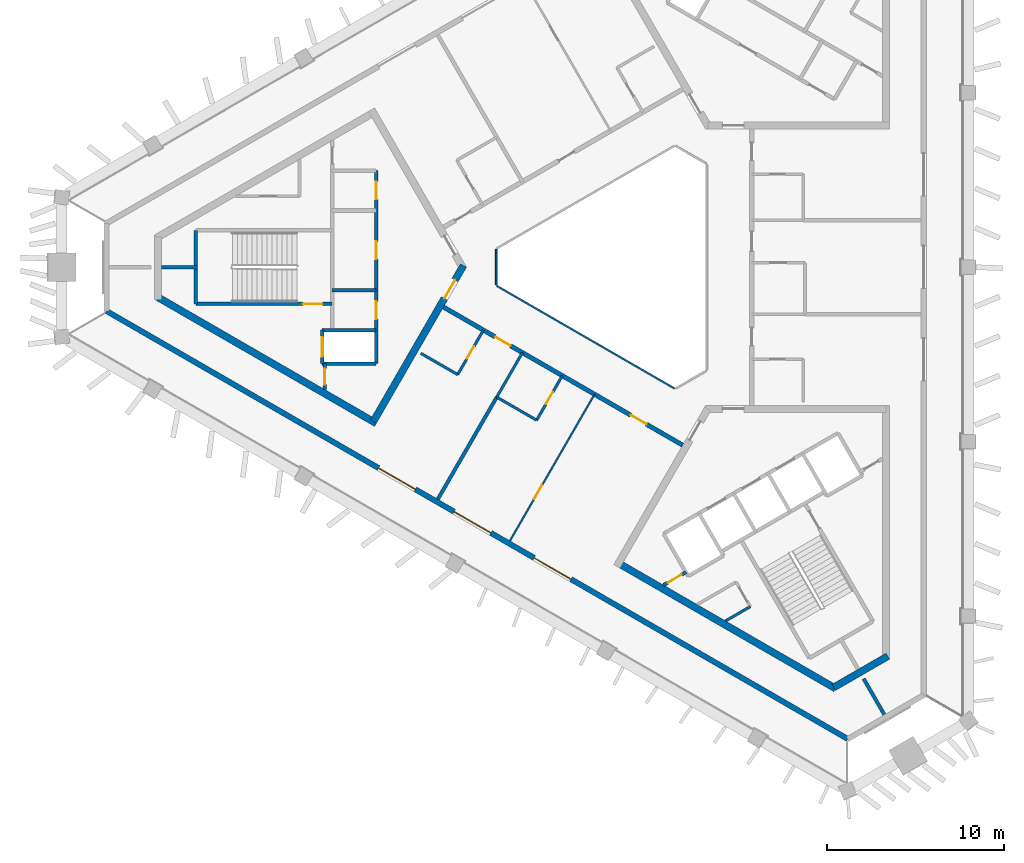
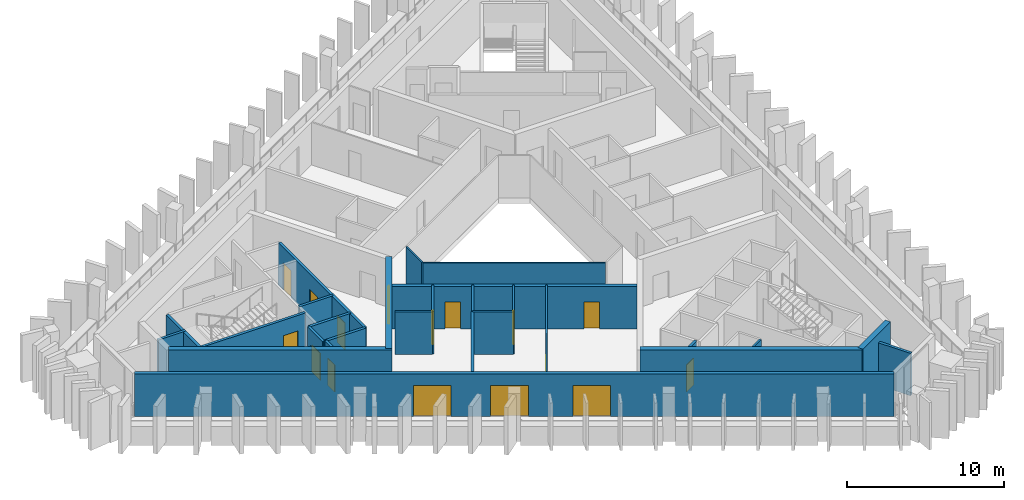
# One storey, part 2 of 9: 27 walls, 16 doors, 16 openings.
"""IFC4 building model written with IfcOpenShell, lengths in metres."""

from ifc_helpers import new_model, si_unit, direction, frame, frame_2d, origin, place, context, subcontext, project, spatial, rectangle, extrude, material, layer, layer_set, type_object, element, fill, save


model = new_model("IFC4")

# Units and contexts
model_context = context("Model", 3, precision=1e-05, world=origin(), true_north=direction((0.0, 1.0)))
body_context = subcontext(model_context, "Body", "Model", "MODEL_VIEW")
ifc_project = project(units=[si_unit("LENGTHUNIT", "METRE"), si_unit("AREAUNIT", "SQUARE_METRE"), si_unit("VOLUMEUNIT", "CUBIC_METRE"), si_unit("PLANEANGLEUNIT", "RADIAN"), si_unit("MASSUNIT", "GRAM", prefix="KILO")], contexts=[model_context])

# Site, building, storey
site_placement = place(None, origin())
site = spatial("IfcSite", under=ifc_project, at=site_placement, CompositionType="ELEMENT")
building_placement = place(site_placement, origin())
building = spatial("IfcBuilding", under=site, at=building_placement, Name="Jabali Bay Hotel Tower and Convention Centre", CompositionType="ELEMENT")
storey_placement = place(building_placement, frame((0.0, 0.0, 262.699951171875)))
storey = spatial("IfcBuildingStorey", under=building, at=storey_placement, Name="L64", CompositionType="ELEMENT", Elevation=262.699951171875)

# Walls
ifc_material_1 = material(Name="Fire-resistant glazing", Category="glass")
ifc_layer_1 = layer(ifc_material_1, 0.10009765625)
ifc_layer_set_1 = layer_set([ifc_layer_1], Name="Fire-resistant glazing")
wall_type_1 = type_object("IfcWallType", Name="Atrium glazed screen 100", PredefinedType="PARTITIONING", material=ifc_layer_set_1)
wall_1_placement = place(storey_placement, frame((67.672119140625, 81.0, 0.0), z_axis=(0.0, 0.0, 1.0), x_axis=(0.0, -1.0, 0.0)))
element("IfcWall", 1, at=wall_1_placement, inside=storey, type_object=wall_type_1, Name="Atrium screen 4 L64", PredefinedType="PARTITIONING", context=body_context, shape_type="SweptSolid", body=[
    extrude(rectangle(XDim=2.0, YDim=0.10009765625, at=frame_2d((1.0, 0.0))), origin(), (0.0, 0.0, 1.0), 3.300048828125),
])
wall_2_placement = place(storey_placement, frame((67.7021484375, 78.947998046875, 0.0), z_axis=(0.0, 0.0, 1.0), x_axis=(0.866026658274, -0.499997827154, 0.0)))
element("IfcWall", 2, at=wall_2_placement, inside=storey, type_object=wall_type_1, Name="Atrium screen 5 L64", PredefinedType="PARTITIONING", context=body_context, shape_type="SweptSolid", body=[
    extrude(rectangle(XDim=11.58837890625, YDim=0.10009765625, at=frame_2d((5.794189453125, 0.0))), origin(), (0.0, 0.0, 1.0), 3.300048828125),
])
ifc_material_2 = material(Name="Concrete C40", Category="concrete")
ifc_layer_2 = layer(ifc_material_2, 0.199951171875)
ifc_layer_set_2 = layer_set([ifc_layer_2], Name="Concrete C40")
wall_type_2 = type_object("IfcWallType", Name="Core partition wall 200", PredefinedType="PARTITIONING", material=ifc_layer_set_2)
wall_3_placement = place(storey_placement, frame((50.820068359375, 80.0, 0.0), z_axis=(0.0, 0.0, 1.0), x_axis=(-1.0, 0.0, 0.0)))
element("IfcWall", 3, at=wall_3_placement, inside=storey, type_object=wall_type_2, Name="Core wall 0.4 L64", PredefinedType="PARTITIONING", context=body_context, shape_type="SweptSolid", body=[
    extrude(rectangle(XDim=2.023193359375, YDim=0.199951171875, at=frame_2d((1.01171875, 0.0))), origin(), (0.0, 0.0, 1.0), 3.300048828125),
])

# Wall, opening, door
wall_4_placement = place(storey_placement, frame((58.0, 74.550048828125, 0.0), z_axis=(0.0, 0.0, 1.0), x_axis=(0.0, -1.0, 0.0)))
wall_4 = element("IfcWall", 4, at=wall_4_placement, inside=storey, type_object=wall_type_2, Name="Core wall 0.11 L64", PredefinedType="PARTITIONING", context=body_context, shape_type="SweptSolid", body=[
    extrude(rectangle(XDim=1.455078125, YDim=0.199951171875, at=frame_2d((0.7275390625, 0.0))), origin(), (0.0, 0.0, 1.0), 3.300048828125),
])
opening_1_placement = place(wall_4_placement, frame((0.277587890625, 0.0, 0.0)))
opening_1 = element("IfcOpeningElement", 5, at=opening_1_placement, cuts=wall_4, Name="Opening D1404", PredefinedType="OPENING", context=body_context, shape_type="SweptSolid", body=[
    extrude(rectangle(XDim=0.89990234375, YDim=2.10009765625, at=frame_2d((0.449951171875, 1.050048828125))), frame((0.0, 0.1103515625, 0.0), z_axis=(0.0, -1.0, 0.0), x_axis=(1.0, 0.0, 0.0)), (0.0, 0.0, 1.0), 0.220947265625),
])
ifc_material_3 = material(Name="Fire-rated steel door", Category="steel")
door_type_1 = type_object("IfcDoorType", Name="Vestibule fire door 900 x 2100", OperationType="NOTDEFINED", PredefinedType="NOTDEFINED", material=ifc_material_3)
door_1_placement = place(opening_1_placement, origin())
door_1 = element("IfcDoor", 6, at=door_1_placement, inside=storey, type_object=door_type_1, Name="Vestibule fire door D1404", OperationType="SINGLE_SWING_LEFT", OverallHeight=2.10009765625, OverallWidth=0.89990234375, PredefinedType="NOTDEFINED", context=body_context, shape_type="SweptSolid", body=[
    extrude(rectangle(XDim=0.89990234375, YDim=2.10009765625, at=frame_2d((0.449951171875, 1.050048828125))), frame((0.0, 0.02490234375, 0.0), z_axis=(0.0, -1.0, 0.0), x_axis=(1.0, 0.0, 0.0)), (0.0, 0.0, 1.0), 0.050048828125),
])
fill(opening_1, door_1)

wall_5_placement = place(storey_placement, frame((77.119873046875, 62.055908203125, 0.0), z_axis=(0.0, 0.0, 1.0), x_axis=(0.866054810376, 0.49994906283, 0.0)))
wall_5 = element("IfcWall", 7, at=wall_5_placement, inside=storey, type_object=wall_type_2, Name="Core wall 2.12 L64", PredefinedType="PARTITIONING", context=body_context, shape_type="SweptSolid", body=[
    extrude(rectangle(XDim=1.461181640625, YDim=0.199951171875, at=frame_2d((0.73046875, 0.0))), origin(), (0.0, 0.0, 1.0), 3.300048828125),
])
opening_2_placement = place(wall_5_placement, frame((0.280517578125, 0.0, 0.0)))
opening_2 = element("IfcOpeningElement", 8, at=opening_2_placement, cuts=wall_5, Name="Opening D1419", PredefinedType="OPENING", context=body_context, shape_type="SweptSolid", body=[
    extrude(rectangle(XDim=0.89990234375, YDim=2.10009765625, at=frame_2d((0.449951171875, 1.050048828125))), frame((0.0, 0.1103515625, 0.0), z_axis=(0.0, -1.0, 0.0), x_axis=(1.0, 0.0, 0.0)), (0.0, 0.0, 1.0), 0.220947265625),
])
door_2_placement = place(opening_2_placement, origin())
door_2 = element("IfcDoor", 9, at=door_2_placement, inside=storey, type_object=door_type_1, Name="Vestibule fire door D1419", OperationType="SINGLE_SWING_LEFT", OverallHeight=2.10009765625, OverallWidth=0.89990234375, PredefinedType="NOTDEFINED", context=body_context, shape_type="SweptSolid", body=[
    extrude(rectangle(XDim=0.89990234375, YDim=2.10009765625, at=frame_2d((0.449951171875, 1.050048828125))), frame((0.0, 0.02490234375, 0.0), z_axis=(0.0, -1.0, 0.0), x_axis=(1.0, 0.0, 0.0)), (0.0, 0.0, 1.0), 0.050048828125),
])
fill(opening_2, door_2)

# Walls
ifc_material_4 = material(Name="Fire-rated board partition")
ifc_layer_3 = layer(ifc_material_4, 0.14990234375)
ifc_layer_set_3 = layer_set([ifc_layer_3], Name="Fire-rated board partition")
wall_type_3 = type_object("IfcWallType", Name="Core room partition 150", PredefinedType="PARTITIONING", material=ifc_layer_set_3)
wall_6_placement = place(storey_placement, frame((80.6201171875, 60.03515625, 0.0), z_axis=(0.0, 0.0, 1.0), x_axis=(0.866001818993, 0.500040847832, 0.0)))
element("IfcWall", 10, at=wall_6_placement, inside=storey, type_object=wall_type_3, Name="Core wall 2.17 L64", PredefinedType="PARTITIONING", context=body_context, shape_type="SweptSolid", body=[
    extrude(rectangle(XDim=1.614990234375, YDim=0.14990234375, at=frame_2d((0.8076171875, 0.0))), origin(), (0.0, 0.0, 1.0), 3.300048828125),
])
ifc_layer_4 = layer(ifc_material_2, 0.199951171875)
ifc_layer_set_4 = layer_set([ifc_layer_4], Name="Concrete C40")
wall_type_4 = type_object("IfcWallType", Name="Core stair wall 200", PredefinedType="SOLIDWALL", material=ifc_layer_set_4)
wall_7_placement = place(storey_placement, frame((60.89990234375, 78.699951171875, 0.0), z_axis=(0.0, 0.0, 1.0), x_axis=(-1.0, 0.0, 0.0)))
element("IfcWall", 11, at=wall_7_placement, inside=storey, type_object=wall_type_4, Name="Core wall 0.5 L64", PredefinedType="SOLIDWALL", context=body_context, shape_type="SweptSolid", body=[
    extrude(rectangle(XDim=2.47998046875, YDim=0.199951171875, at=frame_2d((1.239990234375, 0.0))), origin(), (0.0, 0.0, 1.0), 3.300048828125),
])

# Wall, opening, door
wall_8_placement = place(storey_placement, frame((58.419921875, 77.925048828125, 0.0), z_axis=(0.0, 0.0, 1.0), x_axis=(-1.0, 0.0, 0.0)))
wall_8 = element("IfcWall", 12, at=wall_8_placement, inside=storey, type_object=wall_type_4, Name="Core wall 0.6 L64", PredefinedType="SOLIDWALL", context=body_context, shape_type="SweptSolid", body=[
    extrude(rectangle(XDim=7.699951171875, YDim=0.199951171875, at=frame_2d((3.85009765625, 0.0))), origin(), (0.0, 0.0, 1.0), 3.300048828125),
])
opening_3_placement = place(wall_8_placement, frame((0.550048828125, 0.0, 0.0)))
opening_3 = element("IfcOpeningElement", 13, at=opening_3_placement, cuts=wall_8, Name="Opening D1406", PredefinedType="OPENING", context=body_context, shape_type="SweptSolid", body=[
    extrude(rectangle(XDim=1.10009765625, YDim=2.10009765625, at=frame_2d((0.550048828125, 1.050048828125))), frame((0.0, 0.1103515625, 0.0), z_axis=(0.0, -1.0, 0.0), x_axis=(1.0, 0.0, 0.0)), (0.0, 0.0, 1.0), 0.220947265625),
])
door_type_2 = type_object("IfcDoorType", Name="Stair fire door 1100 x 2100", OperationType="NOTDEFINED", PredefinedType="NOTDEFINED", material=ifc_material_3)
door_3_placement = place(opening_3_placement, origin())
door_3 = element("IfcDoor", 14, at=door_3_placement, inside=storey, type_object=door_type_2, Name="Stair fire door D1406", OperationType="SINGLE_SWING_RIGHT", OverallHeight=2.10009765625, OverallWidth=1.10009765625, PredefinedType="NOTDEFINED", context=body_context, shape_type="SweptSolid", body=[
    extrude(rectangle(XDim=1.10009765625, YDim=2.10009765625, at=frame_2d((0.550048828125, 1.050048828125))), frame((0.0, 0.02490234375, 0.0), z_axis=(0.0, -1.0, 0.0), x_axis=(1.0, 0.0, 0.0)), (0.0, 0.0, 1.0), 0.050048828125),
])
fill(opening_3, door_3)

# Walls
for number, where, z_axis, x_axis, name in (
    (15, (60.89990234375, 76.449951171875, 0.0), (0.0, 0.0, 1.0), (-1.0, 0.0, 0.0), "Core wall 0.7 L64"),
    (16, (60.89990234375, 74.550048828125, 0.0), (0.0, 0.0, 1.0), (-1.0, 0.0, 0.0), "Core wall 0.8 L64"),
):
    element("IfcWall", number, at=place(storey_placement, frame(where, z_axis=z_axis, x_axis=x_axis)), inside=storey, type_object=wall_type_4, Name=name, PredefinedType="SOLIDWALL", context=body_context, shape_type="SweptSolid", body=[
        extrude(rectangle(XDim=3.0498046875, YDim=0.199951171875, at=frame_2d((1.52490234375, 0.0))), origin(), (0.0, 0.0, 1.0), 3.300048828125),
    ])

# Wall, openings, doors
wall_9_placement = place(storey_placement, frame((60.89990234375, 85.449951171875, 0.0), z_axis=(0.0, 0.0, 1.0), x_axis=(0.0, -1.0, 0.0)))
wall_9 = element("IfcWall", 17, at=wall_9_placement, inside=storey, type_object=wall_type_4, Name="Core wall 0.9 L64", PredefinedType="SOLIDWALL", context=body_context, shape_type="SweptSolid", body=[
    extrude(rectangle(XDim=10.89990234375, YDim=0.199951171875, at=frame_2d((5.449951171875, 0.0))), origin(), (0.0, 0.0, 1.0), 3.300048828125),
])
opening_4_placement = place(wall_9_placement, frame((0.625, 0.0, 0.0)))
opening_4 = element("IfcOpeningElement", 18, at=opening_4_placement, cuts=wall_9, Name="Opening D1401", PredefinedType="OPENING", context=body_context, shape_type="SweptSolid", body=[
    extrude(rectangle(XDim=1.0, YDim=2.10009765625, at=frame_2d((0.5, 1.050048828125))), frame((0.0, 0.1103515625, 0.0), z_axis=(0.0, -1.0, 0.0), x_axis=(1.0, 0.0, 0.0)), (0.0, 0.0, 1.0), 0.220947265625),
])
opening_5_placement = place(wall_9_placement, frame((4.0, 0.0, 0.0)))
opening_5 = element("IfcOpeningElement", 19, at=opening_5_placement, cuts=wall_9, Name="Opening D1402", PredefinedType="OPENING", context=body_context, shape_type="SweptSolid", body=[
    extrude(rectangle(XDim=1.0, YDim=2.10009765625, at=frame_2d((0.5, 1.050048828125))), frame((0.0, 0.1103515625, 0.0), z_axis=(0.0, -1.0, 0.0), x_axis=(1.0, 0.0, 0.0)), (0.0, 0.0, 1.0), 0.220947265625),
])
opening_6_placement = place(wall_9_placement, frame((7.375, 0.0, 0.0)))
opening_6 = element("IfcOpeningElement", 20, at=opening_6_placement, cuts=wall_9, Name="Opening D1403", PredefinedType="OPENING", context=body_context, shape_type="SweptSolid", body=[
    extrude(rectangle(XDim=1.0, YDim=2.10009765625, at=frame_2d((0.5, 1.050048828125))), frame((0.0, 0.1103515625, 0.0), z_axis=(0.0, -1.0, 0.0), x_axis=(1.0, 0.0, 0.0)), (0.0, 0.0, 1.0), 0.220947265625),
])
door_type_3 = type_object("IfcDoorType", Name="Core room door 1000 x 2100", OperationType="NOTDEFINED", PredefinedType="NOTDEFINED", material=ifc_material_3)
door_4_placement = place(opening_4_placement, origin())
door_4 = element("IfcDoor", 21, at=door_4_placement, inside=storey, type_object=door_type_3, Name="Core room door D1401", OperationType="SINGLE_SWING_RIGHT", OverallHeight=2.10009765625, OverallWidth=1.0, PredefinedType="NOTDEFINED", context=body_context, shape_type="SweptSolid", body=[
    extrude(rectangle(XDim=1.0, YDim=2.10009765625, at=frame_2d((0.5, 1.050048828125))), frame((0.0, 0.02490234375, 0.0), z_axis=(0.0, -1.0, 0.0), x_axis=(1.0, 0.0, 0.0)), (0.0, 0.0, 1.0), 0.050048828125),
])
fill(opening_4, door_4)
door_5_placement = place(opening_5_placement, origin())
door_5 = element("IfcDoor", 22, at=door_5_placement, inside=storey, type_object=door_type_3, Name="Core room door D1402", OperationType="SINGLE_SWING_RIGHT", OverallHeight=2.10009765625, OverallWidth=1.0, PredefinedType="NOTDEFINED", context=body_context, shape_type="SweptSolid", body=[
    extrude(rectangle(XDim=1.0, YDim=2.10009765625, at=frame_2d((0.5, 1.050048828125))), frame((0.0, 0.02490234375, 0.0), z_axis=(0.0, -1.0, 0.0), x_axis=(1.0, 0.0, 0.0)), (0.0, 0.0, 1.0), 0.050048828125),
])
fill(opening_5, door_5)
door_6_placement = place(opening_6_placement, origin())
door_6 = element("IfcDoor", 23, at=door_6_placement, inside=storey, type_object=door_type_3, Name="Core room door D1403", OperationType="SINGLE_SWING_RIGHT", OverallHeight=2.10009765625, OverallWidth=1.0, PredefinedType="NOTDEFINED", context=body_context, shape_type="SweptSolid", body=[
    extrude(rectangle(XDim=1.0, YDim=2.10009765625, at=frame_2d((0.5, 1.050048828125))), frame((0.0, 0.02490234375, 0.0), z_axis=(0.0, -1.0, 0.0), x_axis=(1.0, 0.0, 0.0)), (0.0, 0.0, 1.0), 0.050048828125),
])
fill(opening_6, door_6)

# Wall, opening, door
wall_10_placement = place(storey_placement, frame((57.85009765625, 76.449951171875, 0.0), z_axis=(0.0, 0.0, 1.0), x_axis=(0.0, -1.0, 0.0)))
wall_10 = element("IfcWall", 24, at=wall_10_placement, inside=storey, type_object=wall_type_4, Name="Core wall 0.12 L64", PredefinedType="SOLIDWALL", context=body_context, shape_type="SweptSolid", body=[
    extrude(rectangle(XDim=1.89990234375, YDim=0.199951171875, at=frame_2d((0.949951171875, 0.0))), origin(), (0.0, 0.0, 1.0), 3.300048828125),
])
opening_7_placement = place(wall_10_placement, frame((0.39990234375, 0.0, 0.0)))
opening_7 = element("IfcOpeningElement", 25, at=opening_7_placement, cuts=wall_10, Name="Opening LD5-L64", PredefinedType="OPENING", context=body_context, shape_type="SweptSolid", body=[
    extrude(rectangle(XDim=1.10009765625, YDim=2.10009765625, at=frame_2d((0.550048828125, 1.050048828125))), frame((0.0, 0.1103515625, 0.0), z_axis=(0.0, -1.0, 0.0), x_axis=(1.0, 0.0, 0.0)), (0.0, 0.0, 1.0), 0.220947265625),
])
ifc_material_5 = material(Name="Stainless steel landing door", Category="steel")
door_type_4 = type_object("IfcDoorType", Name="Landing door 1100 x 2100", OperationType="NOTDEFINED", PredefinedType="NOTDEFINED", material=ifc_material_5)
door_7_placement = place(opening_7_placement, origin())
door_7 = element("IfcDoor", 26, at=door_7_placement, inside=storey, type_object=door_type_4, Name="Landing doors LD5-L64", OperationType="SLIDING_TO_RIGHT", OverallHeight=2.10009765625, OverallWidth=1.10009765625, PredefinedType="NOTDEFINED", context=body_context, shape_type="SweptSolid", body=[
    extrude(rectangle(XDim=1.10009765625, YDim=2.10009765625, at=frame_2d((0.550048828125, 1.050048828125))), frame((0.0, 0.02490234375, 0.0), z_axis=(0.0, -1.0, 0.0), x_axis=(1.0, 0.0, 0.0)), (0.0, 0.0, 1.0), 0.050048828125),
])
fill(opening_7, door_7)

# Walls
wall_11_placement = place(storey_placement, frame((50.719970703125, 82.074951171875, 0.0), z_axis=(0.0, 0.0, 1.0), x_axis=(0.0, -1.0, 0.0)))
element("IfcWall", 27, at=wall_11_placement, inside=storey, type_object=wall_type_4, Name="Core wall 0.14 L64", PredefinedType="SOLIDWALL", context=body_context, shape_type="SweptSolid", body=[
    extrude(rectangle(XDim=4.14990234375, YDim=0.199951171875, at=frame_2d((2.074951171875, 0.0))), origin(), (0.0, 0.0, 1.0), 3.300048828125),
])
ifc_material_6 = material(Name="Concrete C60", Category="concrete")
ifc_layer_5 = layer(ifc_material_6, 0.39990234375)
ifc_layer_set_5 = layer_set([ifc_layer_5], Name="Concrete C60")
wall_type_5 = type_object("IfcWallType", Name="Core wall 400", PredefinedType="SHEAR", material=ifc_layer_set_5)
wall_12_placement = place(storey_placement, frame((48.596923828125, 78.292724609375, 0.0), z_axis=(0.0, 0.0, 1.0), x_axis=(0.866026024469, -0.499998924941, 0.0)))
element("IfcWall", 28, at=wall_12_placement, inside=storey, type_object=wall_type_5, Name="Core wall 1.4 L64", PredefinedType="SHEAR", context=body_context, shape_type="SweptSolid", body=[
    extrude(rectangle(XDim=14.2177734375, YDim=0.39990234375, at=frame_2d((7.10888671875, 0.0))), origin(), (0.0, 0.0, 1.0), 3.699951171875),
])

# Wall, opening, door
wall_13_placement = place(storey_placement, frame((60.73681640625, 71.283935546875, 0.0), z_axis=(0.0, 0.0, 1.0), x_axis=(0.50000547566, 0.866022242388, 0.0)))
wall_13 = element("IfcWall", 29, at=wall_13_placement, inside=storey, type_object=wall_type_5, Name="Core wall 1.5 L64", PredefinedType="SHEAR", context=body_context, shape_type="SweptSolid", body=[
    extrude(rectangle(XDim=10.18017578125, YDim=0.39990234375, at=frame_2d((5.090087890625, 0.0))), origin(), (0.0, 0.0, 1.0), 3.699951171875),
])
opening_8_placement = place(wall_13_placement, frame((8.030029296875, 0.0, 0.0)))
opening_8 = element("IfcOpeningElement", 30, at=opening_8_placement, cuts=wall_13, Name="Opening D1400", PredefinedType="OPENING", context=body_context, shape_type="SweptSolid", body=[
    extrude(rectangle(XDim=1.199951171875, YDim=2.10009765625, at=frame_2d((0.60009765625, 1.050048828125))), frame((0.0, 0.21044921875, 0.0), z_axis=(0.0, -1.0, 0.0), x_axis=(1.0, 0.0, 0.0)), (0.0, 0.0, 1.0), 0.4208984375),
])
door_type_5 = type_object("IfcDoorType", Name="Corridor end fire door 1200 x 2100", OperationType="NOTDEFINED", PredefinedType="NOTDEFINED", material=ifc_material_3)
door_8_placement = place(opening_8_placement, origin())
door_8 = element("IfcDoor", 31, at=door_8_placement, inside=storey, type_object=door_type_5, Name="Corridor end fire door D1400", OperationType="SINGLE_SWING_LEFT", OverallHeight=2.10009765625, OverallWidth=1.199951171875, PredefinedType="NOTDEFINED", context=body_context, shape_type="SweptSolid", body=[
    extrude(rectangle(XDim=1.199951171875, YDim=2.10009765625, at=frame_2d((0.60009765625, 1.050048828125))), frame((0.0, 0.02490234375, 0.0), z_axis=(0.0, -1.0, 0.0), x_axis=(1.0, 0.0, 0.0)), (0.0, 0.0, 1.0), 0.050048828125),
])
fill(opening_8, door_8)

# Walls
wall_14_placement = place(storey_placement, frame((74.583251953125, 63.28955078125, 0.0), z_axis=(0.0, 0.0, 1.0), x_axis=(0.866024494188, -0.500001575463, 0.0)))
element("IfcWall", 32, at=wall_14_placement, inside=storey, type_object=wall_type_5, Name="Core wall 3.2 L64", PredefinedType="SHEAR", context=body_context, shape_type="SweptSolid", body=[
    extrude(rectangle(XDim=14.13330078125, YDim=0.39990234375, at=frame_2d((7.066650390625, 0.0))), origin(), (0.0, 0.0, 1.0), 3.699951171875),
])
wall_15_placement = place(storey_placement, frame((86.72314453125, 56.28076171875, 0.0), z_axis=(0.0, 0.0, 1.0), x_axis=(0.866025485263, 0.499999858875, 0.0)))
element("IfcWall", 33, at=wall_15_placement, inside=storey, type_object=wall_type_5, Name="Core wall 3.3 L64", PredefinedType="SHEAR", context=body_context, shape_type="SweptSolid", body=[
    extrude(rectangle(XDim=3.52978515625, YDim=0.39990234375, at=frame_2d((1.764892578125, 0.0))), origin(), (0.0, 0.0, 1.0), 3.699951171875),
])

# Wall, openings, doors
ifc_layer_6 = layer(ifc_material_6, 0.25)
ifc_layer_set_6 = layer_set([ifc_layer_6], Name="Concrete C60")
wall_type_6 = type_object("IfcWallType", Name="Corridor wall 250", PredefinedType="SHEAR", material=ifc_layer_set_6)
wall_16_placement = place(storey_placement, frame((64.699951171875, 77.748291015625, 0.0), z_axis=(0.0, 0.0, 1.0), x_axis=(0.866026492143, -0.499998114903, 0.0)))
wall_16 = element("IfcWall", 34, at=wall_16_placement, inside=storey, type_object=wall_type_6, Name="Corridor wall 3 L64", PredefinedType="SHEAR", context=body_context, shape_type="SweptSolid", body=[
    extrude(rectangle(XDim=15.58837890625, YDim=0.25, at=frame_2d((7.794189453125, 0.0))), origin(), (0.0, 0.0, 1.0), 3.300048828125),
])
opening_9_placement = place(wall_16_placement, frame((3.3720703125, 0.0, 0.0)))
opening_9 = element("IfcOpeningElement", 35, at=opening_9_placement, cuts=wall_16, Name="Opening 6413", PredefinedType="OPENING", context=body_context, shape_type="SweptSolid", body=[
    extrude(rectangle(XDim=1.0, YDim=2.10009765625, at=frame_2d((0.5, 1.050048828125))), frame((0.0, 0.135498046875, 0.0), z_axis=(0.0, -1.0, 0.0), x_axis=(1.0, 0.0, 0.0)), (0.0, 0.0, 1.0), 0.27099609375),
])
opening_10_placement = place(wall_16_placement, frame((12.21630859375, 0.0, 0.0)))
opening_10 = element("IfcOpeningElement", 36, at=opening_10_placement, cuts=wall_16, Name="Opening 6416", PredefinedType="OPENING", context=body_context, shape_type="SweptSolid", body=[
    extrude(rectangle(XDim=1.0, YDim=2.10009765625, at=frame_2d((0.5, 1.050048828125))), frame((0.0, 0.135498046875, 0.0), z_axis=(0.0, -1.0, 0.0), x_axis=(1.0, 0.0, 0.0)), (0.0, 0.0, 1.0), 0.27099609375),
])
ifc_material_7 = material(Name="Timber", Category="wood")
door_type_6 = type_object("IfcDoorType", Name="Guest room door 1000 x 2100", OperationType="NOTDEFINED", PredefinedType="NOTDEFINED", material=ifc_material_7)
door_9_placement = place(opening_9_placement, origin())
door_9 = element("IfcDoor", 37, at=door_9_placement, inside=storey, type_object=door_type_6, Name="Door 6413", OperationType="SINGLE_SWING_LEFT", OverallHeight=2.10009765625, OverallWidth=1.0, PredefinedType="NOTDEFINED", context=body_context, shape_type="SweptSolid", body=[
    extrude(rectangle(XDim=1.0, YDim=2.10009765625, at=frame_2d((0.5, 1.050048828125))), frame((0.0, 0.02490234375, 0.0), z_axis=(0.0, -1.0, 0.0), x_axis=(1.0, 0.0, 0.0)), (0.0, 0.0, 1.0), 0.050048828125),
])
fill(opening_9, door_9)
door_10_placement = place(opening_10_placement, origin())
door_10 = element("IfcDoor", 38, at=door_10_placement, inside=storey, type_object=door_type_6, Name="Door 6416", OperationType="SINGLE_SWING_RIGHT", OverallHeight=2.10009765625, OverallWidth=1.0, PredefinedType="NOTDEFINED", context=body_context, shape_type="SweptSolid", body=[
    extrude(rectangle(XDim=1.0, YDim=2.10009765625, at=frame_2d((0.5, 1.050048828125))), frame((0.0, 0.02490234375, 0.0), z_axis=(0.0, -1.0, 0.0), x_axis=(1.0, 0.0, 0.0)), (0.0, 0.0, 1.0), 0.050048828125),
])
fill(opening_10, door_10)

ifc_layer_7 = layer(ifc_material_2, 0.300048828125)
ifc_layer_set_7 = layer_set([ifc_layer_7], Name="Concrete C40")
wall_type_7 = type_object("IfcWallType", Name="External wall 300", PredefinedType="SOLIDWALL", material=ifc_layer_set_7)
wall_17_placement = place(storey_placement, frame((87.521484375, 53.369384765625, 0.0), z_axis=(0.0, 0.0, 1.0), x_axis=(-0.866026894696, 0.499997417657, 0.0)))
wall_17 = element("IfcWall", 39, at=wall_17_placement, inside=storey, type_object=wall_type_7, Name="External wall south-west face L64", PredefinedType="SOLIDWALL", context=body_context, shape_type="SweptSolid", body=[
    extrude(rectangle(XDim=48.318603515625, YDim=0.300048828125, at=frame_2d((24.1591796875, 0.0))), origin(), (0.0, 0.0, 1.0), 3.300048828125),
])
opening_11_placement = place(wall_17_placement, frame((23.259521484375, 0.0, 0.0)))
opening_11 = element("IfcOpeningElement", 40, at=opening_11_placement, cuts=wall_17, Name="Opening SD1", PredefinedType="OPENING", context=body_context, shape_type="SweptSolid", body=[
    extrude(rectangle(XDim=2.39990234375, YDim=2.39990234375, at=frame_2d((1.199951171875, 1.199951171875))), frame((0.0, 0.16064453125, 0.0), z_axis=(0.0, -1.0, 0.0), x_axis=(1.0, 0.0, 0.0)), (0.0, 0.0, 1.0), 0.321044921875),
])
opening_12_placement = place(wall_17_placement, frame((18.037353515625, 0.0, 0.0)))
opening_12 = element("IfcOpeningElement", 41, at=opening_12_placement, cuts=wall_17, Name="Opening SD1", PredefinedType="OPENING", context=body_context, shape_type="SweptSolid", body=[
    extrude(rectangle(XDim=2.39990234375, YDim=2.39990234375, at=frame_2d((1.199951171875, 1.199951171875))), frame((0.0, 0.16064453125, 0.0), z_axis=(0.0, -1.0, 0.0), x_axis=(1.0, 0.0, 0.0)), (0.0, 0.0, 1.0), 0.321044921875),
])
opening_13_placement = place(wall_17_placement, frame((28.181396484375, 0.0, 0.0)))
opening_13 = element("IfcOpeningElement", 42, at=opening_13_placement, cuts=wall_17, Name="Opening SD1", PredefinedType="OPENING", context=body_context, shape_type="SweptSolid", body=[
    extrude(rectangle(XDim=2.39990234375, YDim=2.39990234375, at=frame_2d((1.199951171875, 1.199951171875))), frame((0.0, 0.16064453125, 0.0), z_axis=(0.0, -1.0, 0.0), x_axis=(1.0, 0.0, 0.0)), (0.0, 0.0, 1.0), 0.321044921875),
])
ifc_material_8 = material(Name="Glass", Category="glass")
door_type_7 = type_object("IfcDoorType", Name="Loggia sliding door 2400 x 2400", OperationType="NOTDEFINED", PredefinedType="NOTDEFINED", material=ifc_material_8)
door_11_placement = place(opening_11_placement, origin())
door_11 = element("IfcDoor", 43, at=door_11_placement, inside=storey, type_object=door_type_7, Name="Loggia sliding door 6407", OperationType="SLIDING_TO_LEFT", OverallHeight=2.39990234375, OverallWidth=2.39990234375, PredefinedType="NOTDEFINED", context=body_context, shape_type="SweptSolid", body=[
    extrude(rectangle(XDim=2.39990234375, YDim=2.39990234375, at=frame_2d((1.199951171875, 1.199951171875))), frame((0.0, 0.02490234375, 0.0), z_axis=(0.0, -1.0, 0.0), x_axis=(1.0, 0.0, 0.0)), (0.0, 0.0, 1.0), 0.050048828125),
])
fill(opening_11, door_11)
door_12_placement = place(opening_12_placement, origin())
door_12 = element("IfcDoor", 44, at=door_12_placement, inside=storey, type_object=door_type_7, Name="Loggia sliding door 6407", OperationType="SLIDING_TO_RIGHT", OverallHeight=2.39990234375, OverallWidth=2.39990234375, PredefinedType="NOTDEFINED", context=body_context, shape_type="SweptSolid", body=[
    extrude(rectangle(XDim=2.39990234375, YDim=2.39990234375, at=frame_2d((1.199951171875, 1.199951171875))), frame((0.0, 0.02490234375, 0.0), z_axis=(0.0, -1.0, 0.0), x_axis=(1.0, 0.0, 0.0)), (0.0, 0.0, 1.0), 0.050048828125),
])
fill(opening_12, door_12)
door_13_placement = place(opening_13_placement, origin())
door_13 = element("IfcDoor", 45, at=door_13_placement, inside=storey, type_object=door_type_7, Name="Loggia sliding door 6406", OperationType="SLIDING_TO_LEFT", OverallHeight=2.39990234375, OverallWidth=2.39990234375, PredefinedType="NOTDEFINED", context=body_context, shape_type="SweptSolid", body=[
    extrude(rectangle(XDim=2.39990234375, YDim=2.39990234375, at=frame_2d((1.199951171875, 1.199951171875))), frame((0.0, 0.02490234375, 0.0), z_axis=(0.0, -1.0, 0.0), x_axis=(1.0, 0.0, 0.0)), (0.0, 0.0, 1.0), 0.050048828125),
])
fill(opening_13, door_13)

# Wall, opening, door
ifc_material_9 = material(Name="Plasterboard on steel stud", Category="steel")
ifc_layer_8 = layer(ifc_material_9, 0.10009765625)
ifc_layer_set_8 = layer_set([ifc_layer_8], Name="Plasterboard on steel stud")
wall_type_8 = type_object("IfcWallType", Name="Partition 100 unit", PredefinedType="PARTITIONING", material=ifc_layer_set_8)
wall_18_placement = place(storey_placement, frame((68.44873046875, 64.55322265625, 0.0), z_axis=(0.0, 0.0, 1.0), x_axis=(0.500017418949, 0.866015346716, 0.0)))
wall_18 = element("IfcWall", 46, at=wall_18_placement, inside=storey, type_object=wall_type_8, Name="Partition P02 L64 025", PredefinedType="PARTITIONING", context=body_context, shape_type="SweptSolid", body=[
    extrude(rectangle(XDim=9.552978515625, YDim=0.10009765625, at=frame_2d((4.7763671875, 0.0))), origin(), (0.0, 0.0, 1.0), 3.300048828125),
])
opening_14_placement = place(wall_18_placement, frame((2.72705078125, 0.0, 0.0)))
opening_14 = element("IfcOpeningElement", 47, at=opening_14_placement, cuts=wall_18, Name="Opening 6415", PredefinedType="OPENING", context=body_context, shape_type="SweptSolid", body=[
    extrude(rectangle(XDim=0.89990234375, YDim=2.10009765625, at=frame_2d((0.449951171875, 1.050048828125))), frame((0.0, 0.060546875, 0.0), z_axis=(0.0, -1.0, 0.0), x_axis=(1.0, 0.0, 0.0)), (0.0, 0.0, 1.0), 0.12109375),
])
door_type_8 = type_object("IfcDoorType", Name="Internal door 900 x 2100", OperationType="NOTDEFINED", PredefinedType="NOTDEFINED", material=ifc_material_7)
door_14_placement = place(opening_14_placement, origin())
door_14 = element("IfcDoor", 48, at=door_14_placement, inside=storey, type_object=door_type_8, Name="Door 6415", OperationType="SINGLE_SWING_RIGHT", OverallHeight=2.10009765625, OverallWidth=0.89990234375, PredefinedType="NOTDEFINED", context=body_context, shape_type="SweptSolid", body=[
    extrude(rectangle(XDim=0.89990234375, YDim=2.10009765625, at=frame_2d((0.449951171875, 1.050048828125))), frame((0.0, 0.02490234375, 0.0), z_axis=(0.0, -1.0, 0.0), x_axis=(1.0, 0.0, 0.0)), (0.0, 0.0, 1.0), 0.050048828125),
])
fill(opening_14, door_14)

ifc_layer_9 = layer(ifc_material_9, 0.14990234375)
ifc_layer_set_9 = layer_set([ifc_layer_9], Name="Plasterboard on steel stud")
wall_type_9 = type_object("IfcWallType", Name="Partition 150 wet", PredefinedType="PARTITIONING", material=ifc_layer_set_9)
wall_19_placement = place(storey_placement, frame((66.95166015625, 76.4482421875, 0.0), z_axis=(0.0, 0.0, 1.0), x_axis=(-0.499987231761, -0.866032775405, 0.0)))
wall_19 = element("IfcWall", 49, at=wall_19_placement, inside=storey, type_object=wall_type_9, Name="Partition P03 L64 021", PredefinedType="PARTITIONING", context=body_context, shape_type="SweptSolid", body=[
    extrude(rectangle(XDim=2.89990234375, YDim=0.14990234375, at=frame_2d((1.449951171875, 0.0))), origin(), (0.0, 0.0, 1.0), 3.300048828125),
])
opening_15_placement = place(wall_19_placement, frame((1.050048828125, 0.0, 0.0)))
opening_15 = element("IfcOpeningElement", 50, at=opening_15_placement, cuts=wall_19, Name="Opening 6412", PredefinedType="OPENING", context=body_context, shape_type="SweptSolid", body=[
    extrude(rectangle(XDim=0.800048828125, YDim=2.10009765625, at=frame_2d((0.39990234375, 1.050048828125))), frame((0.0, 0.08544921875, 0.0), z_axis=(0.0, -1.0, 0.0), x_axis=(1.0, 0.0, 0.0)), (0.0, 0.0, 1.0), 0.1708984375),
])
door_type_9 = type_object("IfcDoorType", Name="En-suite door 800 x 2100", OperationType="NOTDEFINED", PredefinedType="NOTDEFINED", material=ifc_material_7)
door_15_placement = place(opening_15_placement, origin())
door_15 = element("IfcDoor", 51, at=door_15_placement, inside=storey, type_object=door_type_9, Name="Door 6412", OperationType="SINGLE_SWING_RIGHT", OverallHeight=2.10009765625, OverallWidth=0.800048828125, PredefinedType="NOTDEFINED", context=body_context, shape_type="SweptSolid", body=[
    extrude(rectangle(XDim=0.800048828125, YDim=2.10009765625, at=frame_2d((0.39990234375, 1.050048828125))), frame((0.0, 0.02490234375, 0.0), z_axis=(0.0, -1.0, 0.0), x_axis=(1.0, 0.0, 0.0)), (0.0, 0.0, 1.0), 0.050048828125),
])
fill(opening_15, door_15)

# Walls
wall_20_placement = place(storey_placement, frame((65.501708984375, 73.936767578125, 0.0), z_axis=(0.0, 0.0, 1.0), x_axis=(-0.865994240961, 0.500053971709, 0.0)))
element("IfcWall", 52, at=wall_20_placement, inside=storey, type_object=wall_type_9, Name="Partition P03 L64 022", PredefinedType="PARTITIONING", context=body_context, shape_type="SweptSolid", body=[
    extrude(rectangle(XDim=2.401123046875, YDim=0.14990234375, at=frame_2d((1.20068359375, 0.0))), origin(), (0.0, 0.0, 1.0), 3.300048828125),
])
wall_21_placement = place(storey_placement, frame((67.705078125, 72.664794921875, 0.0), z_axis=(0.0, 0.0, 1.0), x_axis=(0.499987231761, 0.866032775405, 0.0)))
element("IfcWall", 53, at=wall_21_placement, inside=storey, type_object=wall_type_9, Name="Partition P03 L64 024", PredefinedType="PARTITIONING", context=body_context, shape_type="SweptSolid", body=[
    extrude(rectangle(XDim=2.89990234375, YDim=0.14990234375, at=frame_2d((1.449951171875, 0.0))), origin(), (0.0, 0.0, 1.0), 3.300048828125),
])

# Wall, opening, door
wall_22_placement = place(storey_placement, frame((71.40673828125, 73.876220703125, 0.0), z_axis=(0.0, 0.0, 1.0), x_axis=(-0.499987231761, -0.866032775405, 0.0)))
wall_22 = element("IfcWall", 54, at=wall_22_placement, inside=storey, type_object=wall_type_9, Name="Partition P03 L64 026", PredefinedType="PARTITIONING", context=body_context, shape_type="SweptSolid", body=[
    extrude(rectangle(XDim=2.89990234375, YDim=0.14990234375, at=frame_2d((1.449951171875, 0.0))), origin(), (0.0, 0.0, 1.0), 3.300048828125),
])
opening_16_placement = place(wall_22_placement, frame((1.050048828125, 0.0, 0.0)))
opening_16 = element("IfcOpeningElement", 55, at=opening_16_placement, cuts=wall_22, Name="Opening 6414", PredefinedType="OPENING", context=body_context, shape_type="SweptSolid", body=[
    extrude(rectangle(XDim=0.800048828125, YDim=2.10009765625, at=frame_2d((0.39990234375, 1.050048828125))), frame((0.0, 0.08544921875, 0.0), z_axis=(0.0, -1.0, 0.0), x_axis=(1.0, 0.0, 0.0)), (0.0, 0.0, 1.0), 0.1708984375),
])
door_16_placement = place(opening_16_placement, origin())
door_16 = element("IfcDoor", 56, at=door_16_placement, inside=storey, type_object=door_type_9, Name="Door 6414", OperationType="SINGLE_SWING_RIGHT", OverallHeight=2.10009765625, OverallWidth=0.800048828125, PredefinedType="NOTDEFINED", context=body_context, shape_type="SweptSolid", body=[
    extrude(rectangle(XDim=0.800048828125, YDim=2.10009765625, at=frame_2d((0.39990234375, 1.050048828125))), frame((0.0, 0.02490234375, 0.0), z_axis=(0.0, -1.0, 0.0), x_axis=(1.0, 0.0, 0.0)), (0.0, 0.0, 1.0), 0.050048828125),
])
fill(opening_16, door_16)

# Walls
wall_23_placement = place(storey_placement, frame((69.956787109375, 71.36474609375, 0.0), z_axis=(0.0, 0.0, 1.0), x_axis=(-0.866021400173, 0.500006934395, 0.0)))
element("IfcWall", 57, at=wall_23_placement, inside=storey, type_object=wall_type_9, Name="Partition P03 L64 027", PredefinedType="PARTITIONING", context=body_context, shape_type="SweptSolid", body=[
    extrude(rectangle(XDim=2.60009765625, YDim=0.14990234375, at=frame_2d((1.300048828125, 0.0))), origin(), (0.0, 0.0, 1.0), 3.300048828125),
])
ifc_layer_10 = layer(ifc_material_9, 0.199951171875)
ifc_layer_set_10 = layer_set([ifc_layer_10], Name="Plasterboard on steel stud")
wall_type_10 = type_object("IfcWallType", Name="Partition 200 party", PredefinedType="PARTITIONING", material=ifc_layer_set_10)
wall_24_placement = place(storey_placement, frame((88.412353515625, 56.77099609375, 0.0), z_axis=(0.0, 0.0, 1.0), x_axis=(0.500003561037, -0.866023347809, 0.0)))
element("IfcWall", 58, at=wall_24_placement, inside=storey, type_object=wall_type_10, Name="Partition P01 L64 005", PredefinedType="PARTITIONING", context=body_context, shape_type="SweptSolid", body=[
    extrude(rectangle(XDim=2.33056640625, YDim=0.199951171875, at=frame_2d((1.165283203125, 0.0))), origin(), (0.0, 0.0, 1.0), 3.300048828125),
])
wall_25_placement = place(storey_placement, frame((64.37841796875, 66.903076171875, 0.0), z_axis=(0.0, 0.0, 1.0), x_axis=(0.500014686817, 0.866016924181, 0.0)))
element("IfcWall", 59, at=wall_25_placement, inside=storey, type_object=wall_type_10, Name="Partition P01 L64 023", PredefinedType="PARTITIONING", context=body_context, shape_type="SweptSolid", body=[
    extrude(rectangle(XDim=6.653076171875, YDim=0.199951171875, at=frame_2d((3.32666015625, 0.0))), origin(), (0.0, 0.0, 1.0), 3.300048828125),
])

save(model, "model.ifc")
